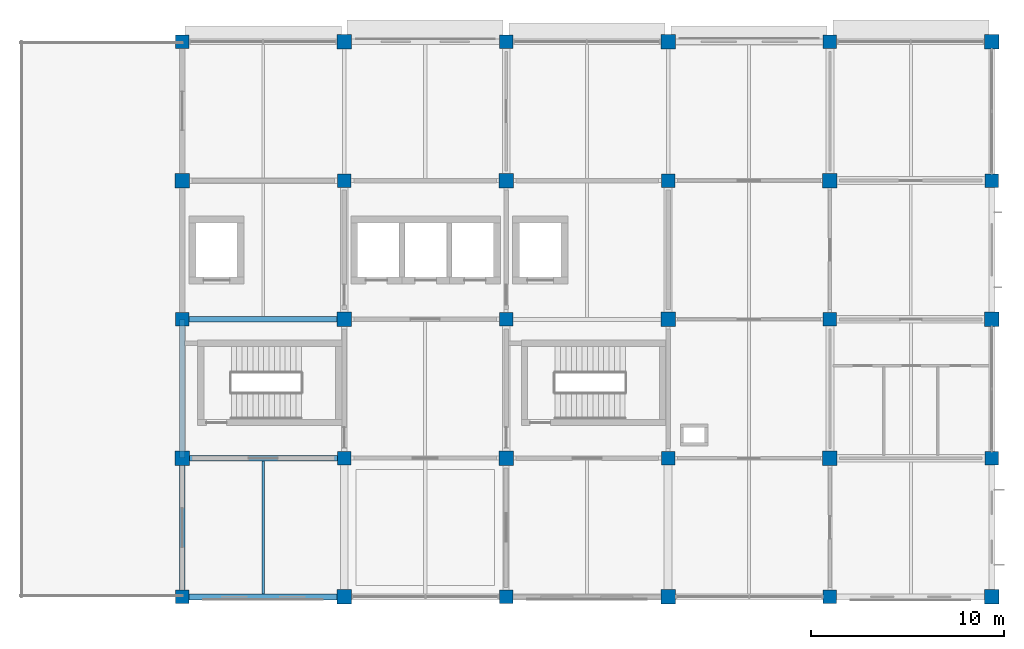
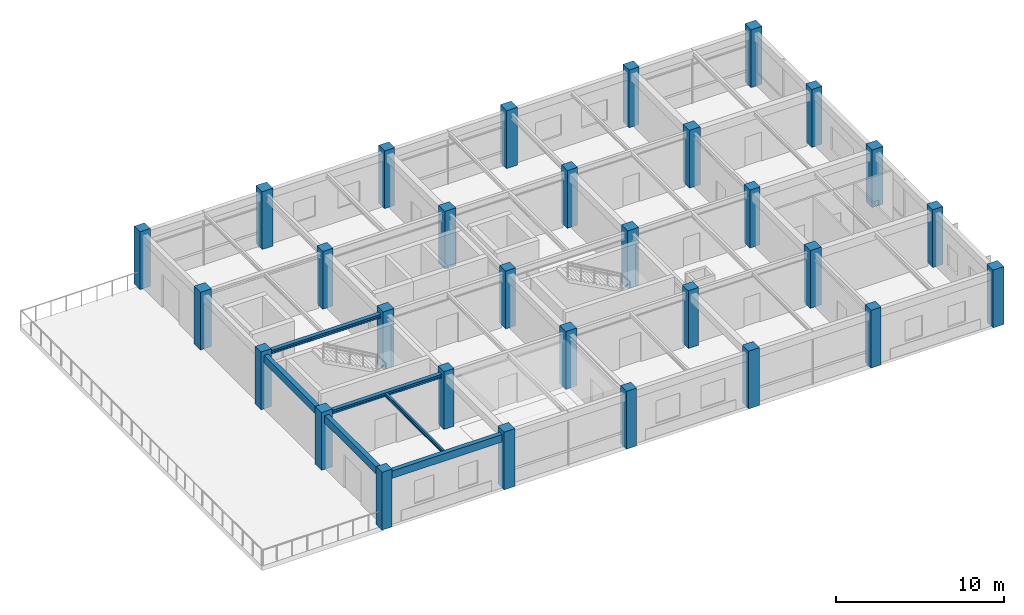
# One storey, part 1 of 10: 30 columns, 6 beams.
"""IFC4 building model written with IfcOpenShell, lengths in metres."""

from ifc_helpers import new_model, si_unit, derived_unit, direction, frame, origin, origin_2d, place, context, subcontext, project, spatial, rectangle, i_section, extrude, material, material_profile, profile_set, type_object, element, save


model = new_model("IFC4")

# Units and contexts
model_context = context("Model", 3, precision=1e-05, world=origin(), true_north=direction((0.0, 1.0)))
body_context = subcontext(model_context, "Body", "Model", "MODEL_VIEW")
ifc_project = project(units=[si_unit("LENGTHUNIT", "METRE"), si_unit("AREAUNIT", "SQUARE_METRE"), si_unit("VOLUMEUNIT", "CUBIC_METRE"), si_unit("PLANEANGLEUNIT", "RADIAN"), si_unit("MASSUNIT", "GRAM", prefix="KILO"), derived_unit("THERMALTRANSMITTANCEUNIT", [(si_unit("MASSUNIT", "GRAM", prefix="KILO"), 1), (si_unit("TIMEUNIT", "SECOND"), -3), (si_unit("THERMODYNAMICTEMPERATUREUNIT", "KELVIN"), -1)])], contexts=[model_context])

# Site, building, storey
site_placement = place(None, origin())
site = spatial("IfcSite", under=ifc_project, at=site_placement, CompositionType="ELEMENT")
building_placement = place(site_placement, origin())
building = spatial("IfcBuilding", under=site, at=building_placement, Name="Veldstrom Oceanarium and Marine Research Institute", CompositionType="ELEMENT")
storey_placement = place(building_placement, frame((0.0, 0.0, 43.800048828125)))
storey = spatial("IfcBuildingStorey", under=building, at=storey_placement, Name="L09", CompositionType="ELEMENT", Elevation=43.800048828125)

# Columns
ifc_material_1 = material(Name="Concrete C50/60", Category="concrete")
ifc_material_profile_1 = material_profile(ifc_material_1, rectangle(XDim=0.75, YDim=0.75, at=origin_2d()), Name="RC-COL-750x750")
ifc_profile_set_1 = profile_set([ifc_material_profile_1], Name="Concrete C50/60")
column_type_1 = type_object("IfcColumnType", Name="STR-COL-C05", PredefinedType="COLUMN", material=ifc_profile_set_1)
for number, where, z_axis, x_axis, name in (
    (1, (75.60009765625, 50.39990234375, 0.0), (0.0, 0.0, 1.0), (1.0, 0.0, 0.0), "Column C05 10/H L09"),
    (2, (75.60009765625, 64.800048828125, 0.0), (0.0, 0.0, 1.0), (1.0, 0.0, 0.0), "Column C05 10/K L09"),
    (3, (84.0, 43.199951171875, 0.0), (0.0, 0.0, 1.0), (1.0, 0.0, 0.0), "Column C05 11/G L09"),
    (4, (84.0, 57.60009765625, 0.0), (0.0, 0.0, 1.0), (1.0, 0.0, 0.0), "Column C05 11/J L09"),
    (5, (84.0, 72.0, 0.0), (0.0, 0.0, 1.0), (1.0, 0.0, 0.0), "Column C05 11/L L09"),
    (6, (92.39990234375, 50.39990234375, 0.0), (0.0, 0.0, 1.0), (1.0, 0.0, 0.0), "Column C05 12/H L09"),
    (7, (92.39990234375, 64.800048828125, 0.0), (0.0, 0.0, 1.0), (1.0, 0.0, 0.0), "Column C05 12/K L09"),
    (8, (100.800048828125, 43.199951171875, 0.0), (0.0, 0.0, 1.0), (1.0, 0.0, 0.0), "Column C05 13/G L09"),
    (9, (100.800048828125, 57.60009765625, 0.0), (0.0, 0.0, 1.0), (1.0, 0.0, 0.0), "Column C05 13/J L09"),
    (10, (100.800048828125, 72.0, 0.0), (0.0, 0.0, 1.0), (1.0, 0.0, 0.0), "Column C05 13/L L09"),
    (11, (109.199951171875, 50.39990234375, 0.0), (0.0, 0.0, 1.0), (1.0, 0.0, 0.0), "Column C05 14/H L09"),
    (12, (109.199951171875, 64.800048828125, 0.0), (0.0, 0.0, 1.0), (1.0, 0.0, 0.0), "Column C05 14/K L09"),
    (13, (117.60009765625, 43.199951171875, 0.0), (0.0, 0.0, 1.0), (1.0, 0.0, 0.0), "Column C05 15/G L09"),
    (14, (117.60009765625, 57.60009765625, 0.0), (0.0, 0.0, 1.0), (1.0, 0.0, 0.0), "Column C05 15/J L09"),
    (15, (117.60009765625, 72.0, 0.0), (0.0, 0.0, 1.0), (1.0, 0.0, 0.0), "Column C05 15/L L09"),
):
    element("IfcColumn", number, at=place(storey_placement, frame(where, z_axis=z_axis, x_axis=x_axis)), inside=storey, type_object=column_type_1, Name=name, PredefinedType="COLUMN", context=body_context, shape_type="SweptSolid", body=[
        extrude(rectangle(XDim=0.75, YDim=0.75, at=origin_2d()), origin(), (0.0, 0.0, 1.0), 4.199951171875),
    ])
ifc_material_2 = material(Name="Concrete C50/60", Category="concrete")
ifc_material_profile_2 = material_profile(ifc_material_2, rectangle(XDim=0.699951171875, YDim=0.699951171875, at=origin_2d()), Name="RC-COL-700x700")
ifc_profile_set_2 = profile_set([ifc_material_profile_2], Name="Concrete C50/60")
column_type_2 = type_object("IfcColumnType", Name="STR-COL-C06", PredefinedType="COLUMN", material=ifc_profile_set_2)
for number, where, z_axis, x_axis, name in (
    (16, (75.60009765625, 43.199951171875, 0.0), (0.0, 0.0, 1.0), (1.0, 0.0, 0.0), "Column C06 10/G L09"),
    (17, (75.60009765625, 57.60009765625, 0.0), (0.0, 0.0, 1.0), (1.0, 0.0, 0.0), "Column C06 10/J L09"),
    (18, (75.60009765625, 72.0, 0.0), (0.0, 0.0, 1.0), (1.0, 0.0, 0.0), "Column C06 10/L L09"),
    (19, (84.0, 50.39990234375, 0.0), (0.0, 0.0, 1.0), (1.0, 0.0, 0.0), "Column C06 11/H L09"),
    (20, (84.0, 64.800048828125, 0.0), (0.0, 0.0, 1.0), (1.0, 0.0, 0.0), "Column C06 11/K L09"),
    (21, (92.39990234375, 43.199951171875, 0.0), (0.0, 0.0, 1.0), (1.0, 0.0, 0.0), "Column C06 12/G L09"),
    (22, (92.39990234375, 57.60009765625, 0.0), (0.0, 0.0, 1.0), (1.0, 0.0, 0.0), "Column C06 12/J L09"),
    (23, (92.39990234375, 72.0, 0.0), (0.0, 0.0, 1.0), (1.0, 0.0, 0.0), "Column C06 12/L L09"),
    (24, (100.800048828125, 50.39990234375, 0.0), (0.0, 0.0, 1.0), (1.0, 0.0, 0.0), "Column C06 13/H L09"),
    (25, (100.800048828125, 64.800048828125, 0.0), (0.0, 0.0, 1.0), (1.0, 0.0, 0.0), "Column C06 13/K L09"),
    (26, (109.199951171875, 43.199951171875, 0.0), (0.0, 0.0, 1.0), (1.0, 0.0, 0.0), "Column C06 14/G L09"),
    (27, (109.199951171875, 57.60009765625, 0.0), (0.0, 0.0, 1.0), (1.0, 0.0, 0.0), "Column C06 14/J L09"),
    (28, (109.199951171875, 72.0, 0.0), (0.0, 0.0, 1.0), (1.0, 0.0, 0.0), "Column C06 14/L L09"),
    (29, (117.60009765625, 50.39990234375, 0.0), (0.0, 0.0, 1.0), (1.0, 0.0, 0.0), "Column C06 15/H L09"),
    (30, (117.60009765625, 64.800048828125, 0.0), (0.0, 0.0, 1.0), (1.0, 0.0, 0.0), "Column C06 15/K L09"),
):
    element("IfcColumn", number, at=place(storey_placement, frame(where, z_axis=z_axis, x_axis=x_axis)), inside=storey, type_object=column_type_2, Name=name, PredefinedType="COLUMN", context=body_context, shape_type="SweptSolid", body=[
        extrude(rectangle(XDim=0.699951171875, YDim=0.699951171875, at=origin_2d()), origin(), (0.0, 0.0, 1.0), 4.199951171875),
    ])

# Beams
ifc_material_3 = material(Name="Steel S355JR", Category="steel")
ifc_material_profile_3 = material_profile(ifc_material_3, i_section(OverallWidth=0.280029296875, OverallDepth=0.27001953125, WebThickness=0.008056640625, FlangeThickness=0.012939453125, FilletRadius=0.02392578125, at=origin_2d()), Name="HEA 280")
ifc_profile_set_3 = profile_set([ifc_material_profile_3], Name="Steel S355JR")
beam_type_1 = type_object("IfcBeamType", Name="STR-BM-SB11", PredefinedType="BEAM", material=ifc_profile_set_3)
for number, where, z_axis, x_axis, name in (
    (31, (75.60009765625, 50.39990234375, 3.760009765625), (1.0, 0.0, 0.0), (0.0, 1.0, 0.0), "Steel Floor Girder SB11 L09-2474"),
    (32, (75.60009765625, 57.60009765625, 3.760009765625), (1.0, 0.0, 0.0), (0.0, 1.0, 0.0), "Steel Floor Girder SB11 L09-2475"),
):
    element("IfcBeam", number, at=place(storey_placement, frame(where, z_axis=z_axis, x_axis=x_axis)), inside=storey, type_object=beam_type_1, Name=name, PredefinedType="BEAM", context=body_context, shape_type="SweptSolid", body=[
        extrude(i_section(OverallWidth=0.280029296875, OverallDepth=0.27001953125, WebThickness=0.008056640625, FlangeThickness=0.012939453125, FilletRadius=0.02392578125, at=origin_2d()), origin(), (0.0, 0.0, 1.0), 8.39990234375),
    ])
ifc_material_4 = material(Name="Steel S355JR", Category="steel")
ifc_material_profile_4 = material_profile(ifc_material_4, i_section(OverallWidth=0.135009765625, OverallDepth=0.27001953125, WebThickness=0.006591796875, FlangeThickness=0.01025390625, FilletRadius=0.014892578125, at=origin_2d()), Name="IPE 270")
ifc_profile_set_4 = profile_set([ifc_material_profile_4], Name="Steel S355JR")
beam_type_2 = type_object("IfcBeamType", Name="STR-JST-SJ3", PredefinedType="JOIST", material=ifc_profile_set_4)
beam_1_placement = place(storey_placement, frame((79.800048828125, 43.35009765625, 3.760009765625), z_axis=(0.0, 1.0, 0.0), x_axis=(-1.0, 0.0, 0.0)))
element("IfcBeam", 33, at=beam_1_placement, inside=storey, type_object=beam_type_2, Name="Secondary Joist SJ3 L09-2522", PredefinedType="JOIST", context=body_context, shape_type="SweptSolid", body=[
    extrude(i_section(OverallWidth=0.135009765625, OverallDepth=0.27001953125, WebThickness=0.006591796875, FlangeThickness=0.01025390625, FilletRadius=0.014892578125, at=origin_2d()), origin(), (0.0, 0.0, 1.0), 6.909912109375),
])
ifc_material_5 = material(Name="Concrete C40/50", Category="concrete")
ifc_material_profile_5 = material_profile(ifc_material_5, rectangle(XDim=0.300048828125, YDim=0.550048828125, at=origin_2d()), Name="RC-SPN-300x550")
ifc_profile_set_5 = profile_set([ifc_material_profile_5], Name="Concrete C40/50")
beam_type_3 = type_object("IfcBeamType", Name="STR-SPN-SP2", PredefinedType="SPANDREL", material=ifc_profile_set_5)
beam_2_placement = place(storey_placement, frame((75.60009765625, 43.199951171875, 3.619873046875), z_axis=(1.0, 0.0, 0.0), x_axis=(0.0, 1.0, 0.0)))
element("IfcBeam", 34, at=beam_2_placement, inside=storey, type_object=beam_type_3, Name="Perimeter Spandrel SPB2 L09-2473", PredefinedType="SPANDREL", context=body_context, shape_type="SweptSolid", body=[
    extrude(rectangle(XDim=0.300048828125, YDim=0.550048828125, at=origin_2d()), origin(), (0.0, 0.0, 1.0), 8.39990234375),
])
beam_3_placement = place(storey_placement, frame((75.60009765625, 43.199951171875, 3.619873046875), z_axis=(0.0, 1.0, 0.0), x_axis=(-1.0, 0.0, 0.0)))
element("IfcBeam", 35, at=beam_3_placement, inside=storey, type_object=beam_type_3, Name="Perimeter Spandrel SPB2 L09-2498", PredefinedType="SPANDREL", context=body_context, shape_type="SweptSolid", body=[
    extrude(rectangle(XDim=0.300048828125, YDim=0.550048828125, at=origin_2d()), origin(), (0.0, 0.0, 1.0), 7.199951171875),
])
beam_4_placement = place(storey_placement, frame((75.60009765625, 50.39990234375, 3.619873046875), z_axis=(0.0, 1.0, 0.0), x_axis=(-1.0, 0.0, 0.0)))
element("IfcBeam", 36, at=beam_4_placement, inside=storey, type_object=beam_type_3, Name="Perimeter Spandrel SPB2 L09-2499", PredefinedType="SPANDREL", context=body_context, shape_type="SweptSolid", body=[
    extrude(rectangle(XDim=0.300048828125, YDim=0.550048828125, at=origin_2d()), origin(), (0.0, 0.0, 1.0), 7.2001953125),
])

save(model, "model.ifc")
